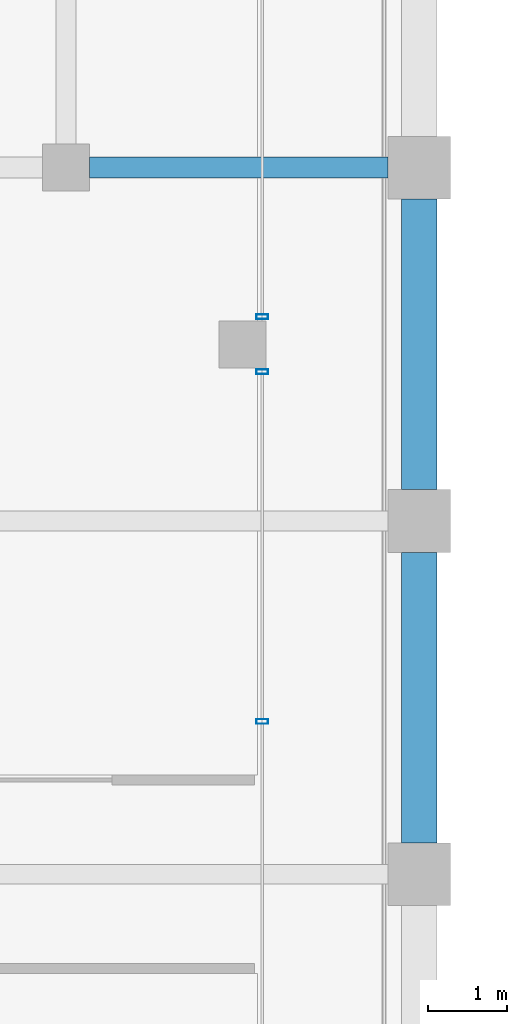
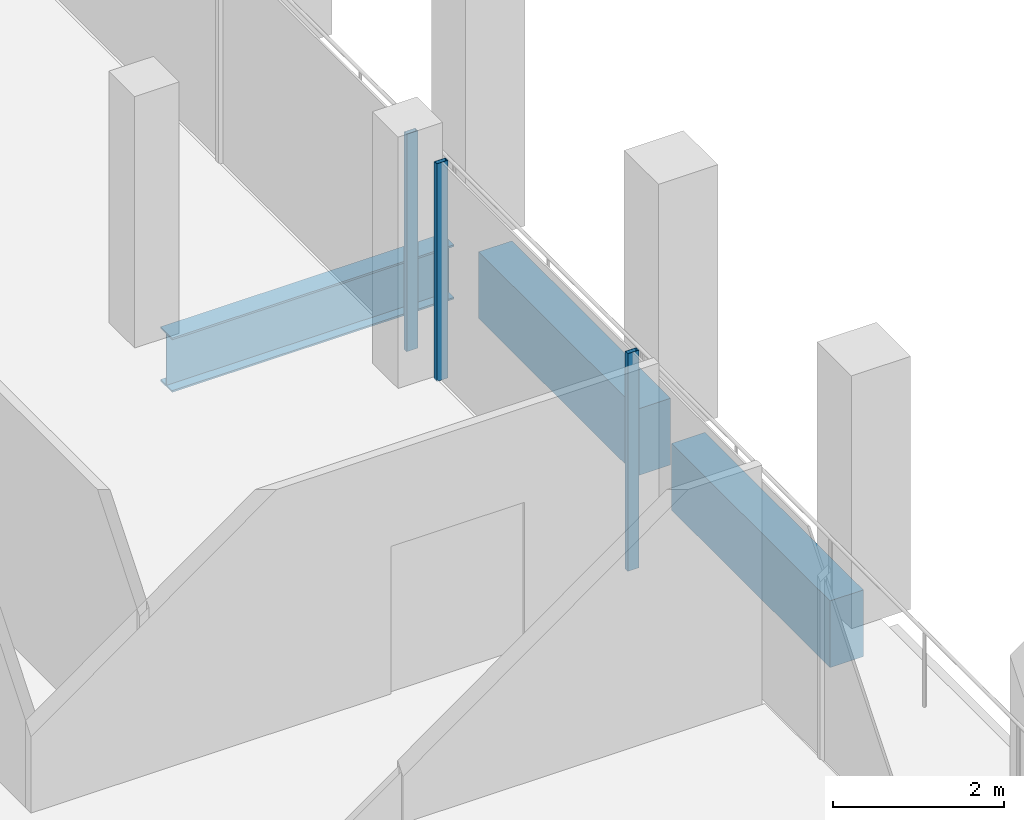
# One storey, part 19 of 40: 3 beams, 3 members, 2 elements without a shape of their own.
"""IFC4 building model written with IfcOpenShell, lengths in metres."""

from ifc_helpers import new_model, si_unit, direction, frame, origin, origin_2d, place, context, subcontext, project, spatial, rectangle, hollow_rectangle, i_section, extrude, material, material_profile, profile_set, type_object, element, aggregate, save


model = new_model("IFC4")

# Units and contexts
model_context = context("Model", 3, precision=1e-05, world=origin(), true_north=direction((0.0, 1.0)))
body_context = subcontext(model_context, "Body", "Model", "MODEL_VIEW")
ifc_project = project(units=[si_unit("LENGTHUNIT", "METRE"), si_unit("AREAUNIT", "SQUARE_METRE"), si_unit("VOLUMEUNIT", "CUBIC_METRE"), si_unit("PLANEANGLEUNIT", "RADIAN"), si_unit("MASSUNIT", "GRAM", prefix="KILO")], contexts=[model_context])

# Site, building, storey
site_placement = place(None, origin())
site = spatial("IfcSite", under=ifc_project, at=site_placement, CompositionType="ELEMENT")
building_placement = place(site_placement, origin())
building = spatial("IfcBuilding", under=site, at=building_placement, Name="Altepetl Exchange Towers", CompositionType="ELEMENT")
storey_placement = place(building_placement, frame((0.0, 0.0, 199.199951171875)))
storey = spatial("IfcBuildingStorey", under=building, at=storey_placement, Name="L50", CompositionType="ELEMENT", Elevation=199.199951171875)

# Beam
ifc_material_1 = material(Name="Steel S355", Category="steel")
ifc_material_profile_1 = material_profile(ifc_material_1, i_section(OverallWidth=0.26806640625, OverallDepth=0.77392578125, WebThickness=0.015380859375, FlangeThickness=0.025390625, at=origin_2d()), Name="W30X132")
ifc_profile_set_1 = profile_set([ifc_material_profile_1], Name="Steel S355")
beam_type_1 = type_object("IfcBeamType", Name="Girder W30X132", PredefinedType="BEAM", material=ifc_profile_set_1)
beam_placement = place(storey_placement, frame((67.800048828125, 58.5, -0.536865234375), z_axis=(1.0, 0.0, 0.0), x_axis=(0.0, 1.0, 0.0)))
element("IfcBeam", 1, at=beam_placement, inside=storey, type_object=beam_type_1, Name="gd:A:L50:002", PredefinedType="BEAM", context=body_context, shape_type="SweptSolid", body=[
    extrude(i_section(OverallWidth=0.26806640625, OverallDepth=0.77392578125, WebThickness=0.015380859375, FlangeThickness=0.025390625, at=origin_2d()), origin(), (0.0, 0.0, 1.0), 3.800048828125),
])

# Curtain wall, members
ifc_material_2 = material(Name="Aluminium 6063-T6 glazing", Category="aluminium")
curtain_wall_type = type_object("IfcCurtainWallType", Name="Loggia glazing system", PredefinedType="NOTDEFINED", material=ifc_material_2)
curtain_wall_1_placement = place(storey_placement, origin())
curtain_wall_1 = element("IfcCurtainWall", 2, at=curtain_wall_1_placement, inside=storey, type_object=curtain_wall_type, Name="CW1 run", PredefinedType="NOTDEFINED")
ifc_material_3 = material(Name="Aluminium 6063-T6", Category="aluminium")
ifc_material_profile_2 = material_profile(ifc_material_3, hollow_rectangle(XDim=0.06005859375, YDim=0.14990234375, WallThickness=0.0029296875, at=origin_2d()), Name="Mullion 60x150 aluminium")
ifc_profile_set_2 = profile_set([ifc_material_profile_2], Name="Aluminium 6063-T6")
member_type = type_object("IfcMemberType", Name="Mullion 60x150 aluminium", PredefinedType="MULLION", material=ifc_profile_set_2)
member_1_placement = place(storey_placement, frame((70.0, 51.444091796875, 0.0), z_axis=(0.0, 0.0, 1.0), x_axis=(0.0, 1.0, 0.0)))
member_1 = element("IfcMember", 3, at=member_1_placement, type_object=member_type, Name="MU1 mullion", PredefinedType="MULLION", context=body_context, shape_type="SweptSolid", body=[
    extrude(hollow_rectangle(XDim=0.06005859375, YDim=0.14990234375, WallThickness=0.0029296875, at=origin_2d()), origin(), (0.0, 0.0, 1.0), 3.10009765625),
])
member_2_placement = place(storey_placement, frame((70.0, 55.89990234375, 0.0), z_axis=(0.0, 0.0, 1.0), x_axis=(0.0, 1.0, 0.0)))
member_2 = element("IfcMember", 4, at=member_2_placement, type_object=member_type, Name="MU1 mullion", PredefinedType="MULLION", context=body_context, shape_type="SweptSolid", body=[
    extrude(hollow_rectangle(XDim=0.06005859375, YDim=0.14990234375, WallThickness=0.0029296875, at=origin_2d()), origin(), (0.0, 0.0, 1.0), 3.10009765625),
])
aggregate(curtain_wall_1, [member_1, member_2])

# Curtain wall, member
curtain_wall_2_placement = place(storey_placement, origin())
curtain_wall_2 = element("IfcCurtainWall", 5, at=curtain_wall_2_placement, inside=storey, type_object=curtain_wall_type, Name="CW1 run", PredefinedType="NOTDEFINED")
member_3_placement = place(storey_placement, frame((70.0, 56.60009765625, 0.0), z_axis=(0.0, 0.0, 1.0), x_axis=(0.0, 1.0, 0.0)))
member_3 = element("IfcMember", 6, at=member_3_placement, type_object=member_type, Name="MU1 mullion", PredefinedType="MULLION", context=body_context, shape_type="SweptSolid", body=[
    extrude(hollow_rectangle(XDim=0.06005859375, YDim=0.14990234375, WallThickness=0.0029296875, at=origin_2d()), origin(), (0.0, 0.0, 1.0), 3.10009765625),
])
aggregate(curtain_wall_2, [member_3])

# Beams
ifc_material_4 = material(Name="Concrete C50/60 precast with cantera amarilla facing", Category="concrete")
ifc_material_profile_3 = material_profile(ifc_material_4, rectangle(XDim=0.449951171875, YDim=0.949951171875, at=origin_2d()), Name="450 x 950")
ifc_profile_set_3 = profile_set([ifc_material_profile_3], Name="Concrete C50/60 precast with cantera amarilla facing")
beam_type_2 = type_object("IfcBeamType", Name="Spandrel beam 450x950 cantera amarilla", PredefinedType="SPANDREL", material=ifc_profile_set_3)
for number, where, z_axis, x_axis, name in (
    (7, (72.0, 49.89990234375, -0.625), (0.0, 1.0, 0.0), (-1.0, 0.0, 0.0), "sp:A:L50:016"),
    (8, (72.0, 54.39990234375, -0.625), (0.0, 1.0, 0.0), (-1.0, 0.0, 0.0), "sp:A:L50:017"),
):
    element("IfcBeam", number, at=place(storey_placement, frame(where, z_axis=z_axis, x_axis=x_axis)), inside=storey, type_object=beam_type_2, Name=name, PredefinedType="SPANDREL", context=body_context, shape_type="SweptSolid", body=[
        extrude(rectangle(XDim=0.449951171875, YDim=0.949951171875, at=origin_2d()), origin(), (0.0, 0.0, 1.0), 3.7001953125),
    ])

save(model, "model.ifc")
